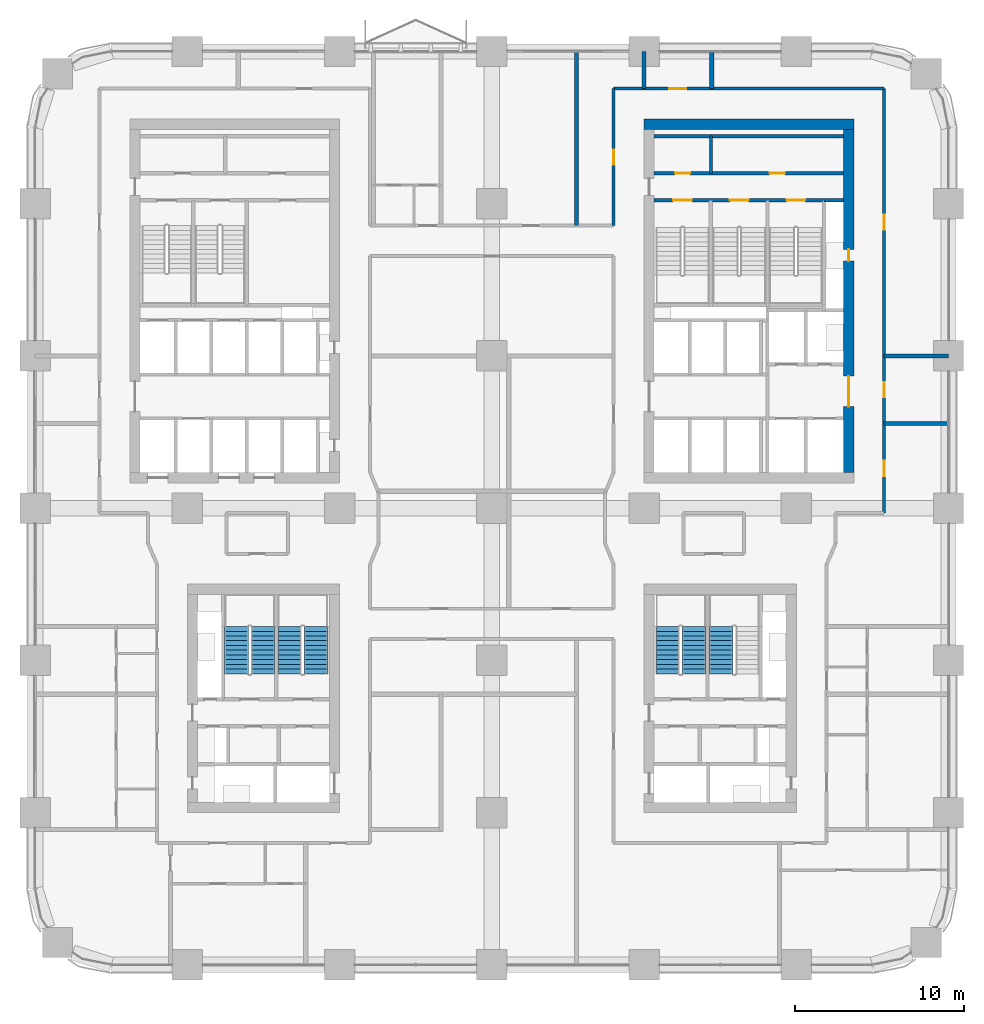
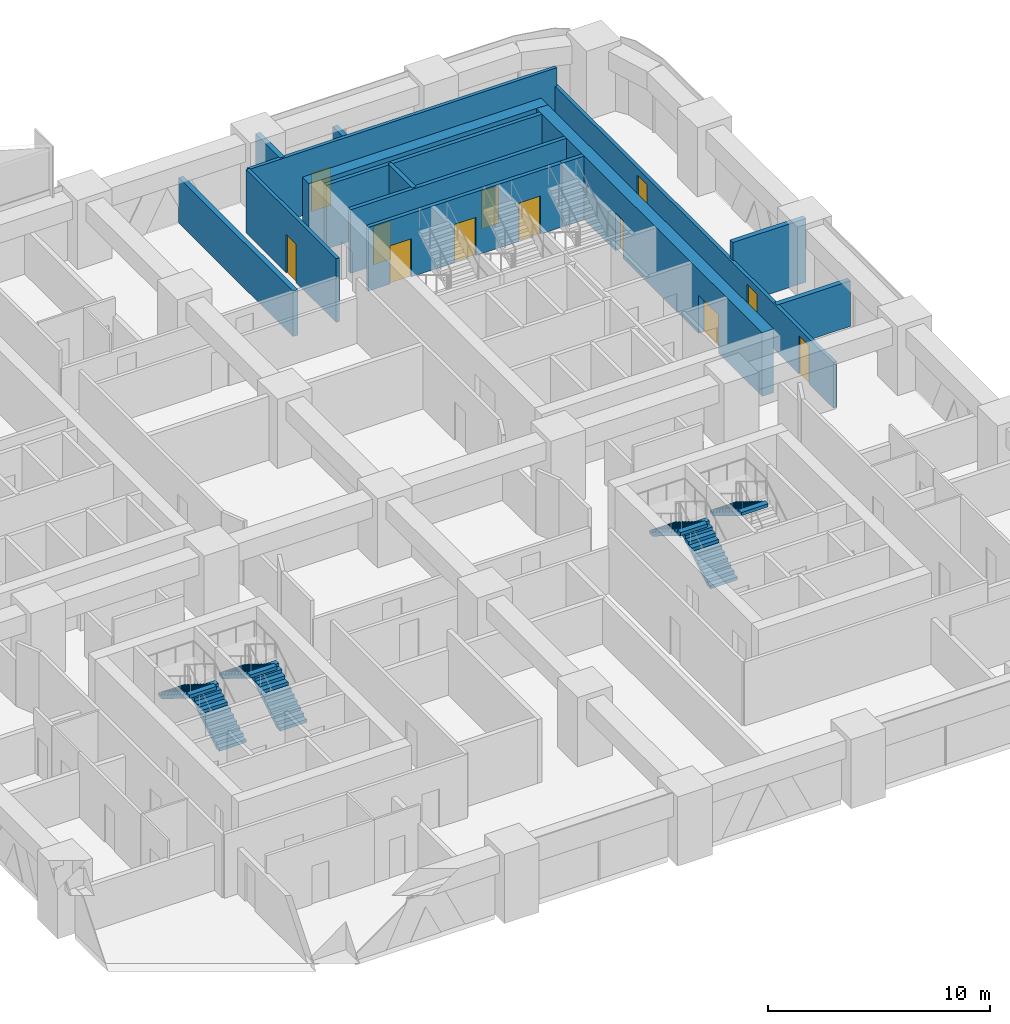
# One storey, part 19 of 23: 15 walls, 12 doors, 7 stair flights, 12 openings, 4 elements without a shape of their own.
"""IFC4 building model written with IfcOpenShell, lengths in metres."""

from ifc_helpers import new_model, si_unit, direction, frame, frame_2d, origin, place, context, subcontext, project, spatial, polyline, rectangle, outline, extrude, material, layer, layer_set, type_object, element, fill, aggregate, save


model = new_model("IFC4")

# Units and contexts
model_context = context("Model", 3, precision=1e-05, world=origin(), true_north=direction((0.0, 1.0)))
body_context = subcontext(model_context, "Body", "Model", "MODEL_VIEW")
ifc_project = project(units=[si_unit("LENGTHUNIT", "METRE"), si_unit("AREAUNIT", "SQUARE_METRE"), si_unit("VOLUMEUNIT", "CUBIC_METRE"), si_unit("PLANEANGLEUNIT", "RADIAN"), si_unit("MASSUNIT", "GRAM", prefix="KILO")], contexts=[model_context])

# Site, building, storey
site_placement = place(None, origin())
site = spatial("IfcSite", under=ifc_project, at=site_placement, CompositionType="ELEMENT")
building_placement = place(site_placement, origin())
building = spatial("IfcBuilding", under=site, at=building_placement, Name="Tessera Arch", CompositionType="ELEMENT")
storey_placement = place(building_placement, frame((0.0, 0.0, 34.800048828125)))
storey = spatial("IfcBuildingStorey", under=building, at=storey_placement, Name="L06", CompositionType="ELEMENT", Elevation=34.800048828125)

# Wall
ifc_material_1 = material(Name="Gypsum board on steel stud", Category="steel")
ifc_layer_1 = layer(ifc_material_1, 0.125)
ifc_layer_set_1 = layer_set([ifc_layer_1], Name="Core partition 125 EI 60")
wall_type_1 = type_object("IfcWallType", Name="Core partition 125 EI 60", PredefinedType="PARTITIONING", material=ifc_layer_set_1)
wall_1_placement = place(storey_placement, frame((39.9599609375, 46.800048828125, 0.0), z_axis=(0.0, 0.0, 1.0), x_axis=(0.0, 1.0, 0.0)))
element("IfcWall", 1, at=wall_1_placement, inside=storey, type_object=wall_type_1, Name="L06 C1 partition wall 5", PredefinedType="PARTITIONING", context=body_context, shape_type="SweptSolid", body=[
    extrude(rectangle(XDim=2.199951171875, YDim=0.199951171875, at=frame_2d((1.10009765625, 0.0))), origin(), (0.0, 0.0, 1.0), 3.5),
])

# Wall, openings, doors
wall_2_placement = place(storey_placement, frame((36.60009765625, 46.800048828125, 0.0), z_axis=(0.0, 0.0, 1.0), x_axis=(1.0, 0.0, 0.0)))
wall_2 = element("IfcWall", 2, at=wall_2_placement, inside=storey, type_object=wall_type_1, Name="L06 C1 partition wall 31", PredefinedType="PARTITIONING", context=body_context, shape_type="SweptSolid", body=[
    extrude(rectangle(XDim=11.199951171875, YDim=0.199951171875, at=frame_2d((5.60009765625, 0.0))), origin(), (0.0, 0.0, 1.0), 3.5),
])
opening_1_placement = place(wall_2_placement, frame((1.22998046875, 0.0, 0.0)))
opening_1 = element("IfcOpeningElement", 3, at=opening_1_placement, cuts=wall_2, Name="Opening L06-C12", PredefinedType="OPENING", context=body_context, shape_type="SweptSolid", body=[
    extrude(rectangle(XDim=0.89990234375, YDim=2.10009765625, at=frame_2d((0.449951171875, 1.050048828125))), frame((0.0, 0.10986328125, 0.0), z_axis=(0.0, -1.0, 0.0), x_axis=(1.0, 0.0, 0.0)), (0.0, 0.0, 1.0), 0.219970703125),
])
opening_2_placement = place(wall_2_placement, frame((6.830078125, 0.0, 0.0)))
opening_2 = element("IfcOpeningElement", 4, at=opening_2_placement, cuts=wall_2, Name="Opening L06-C13", PredefinedType="OPENING", context=body_context, shape_type="SweptSolid", body=[
    extrude(rectangle(XDim=0.89990234375, YDim=2.10009765625, at=frame_2d((0.449951171875, 1.050048828125))), frame((0.0, 0.10986328125, 0.0), z_axis=(0.0, -1.0, 0.0), x_axis=(1.0, 0.0, 0.0)), (0.0, 0.0, 1.0), 0.219970703125),
])
ifc_material_2 = material(Name="Steel door leaf", Category="steel")
door_type_1 = type_object("IfcDoorType", Name="Store door FD30S 900 x 2100", OperationType="SINGLE_SWING_LEFT", PredefinedType="DOOR", material=ifc_material_2)
door_1_placement = place(opening_1_placement, origin())
door_1 = element("IfcDoor", 5, at=door_1_placement, inside=storey, type_object=door_type_1, Name="L06 C1 door 12 C12 type D09", OperationType="SINGLE_SWING_LEFT", OverallHeight=2.10009765625, OverallWidth=0.89990234375, PredefinedType="DOOR", context=body_context, shape_type="SweptSolid", body=[
    extrude(rectangle(XDim=0.89990234375, YDim=2.10009765625, at=frame_2d((0.449951171875, 1.050048828125))), frame((0.0, 0.02490234375, 0.0), z_axis=(0.0, -1.0, 0.0), x_axis=(1.0, 0.0, 0.0)), (0.0, 0.0, 1.0), 0.050048828125),
])
fill(opening_1, door_1)
door_2_placement = place(opening_2_placement, origin())
door_2 = element("IfcDoor", 6, at=door_2_placement, inside=storey, type_object=door_type_1, Name="L06 C1 door 13 C13 type D09", OperationType="SINGLE_SWING_RIGHT", OverallHeight=2.10009765625, OverallWidth=0.89990234375, PredefinedType="DOOR", context=body_context, shape_type="SweptSolid", body=[
    extrude(rectangle(XDim=0.89990234375, YDim=2.10009765625, at=frame_2d((0.449951171875, 1.050048828125))), frame((0.0, 0.02490234375, 0.0), z_axis=(0.0, -1.0, 0.0), x_axis=(1.0, 0.0, 0.0)), (0.0, 0.0, 1.0), 0.050048828125),
])
fill(opening_2, door_2)

# Walls
wall_3_placement = place(storey_placement, frame((36.60009765625, 49.0, 0.0), z_axis=(0.0, 0.0, 1.0), x_axis=(1.0, 0.0, 0.0)))
element("IfcWall", 7, at=wall_3_placement, inside=storey, type_object=wall_type_1, Name="L06 C1 partition wall 32", PredefinedType="PARTITIONING", context=body_context, shape_type="SweptSolid", body=[
    extrude(rectangle(XDim=11.199951171875, YDim=0.199951171875, at=frame_2d((5.60009765625, 0.0))), origin(), (0.0, 0.0, 1.0), 3.5),
])
ifc_material_3 = material(Name="Concrete C70/85", Category="concrete")
ifc_layer_2 = layer(ifc_material_3, 0.60009765625)
ifc_layer_set_2 = layer_set([ifc_layer_2], Name="Core shell wall 600 C70-85")
wall_type_2 = type_object("IfcWallType", Name="Core shell wall 600 C70-85", PredefinedType="SHEAR", material=ifc_layer_set_2)
wall_4_placement = place(storey_placement, frame((36.0, 49.699951171875, 0.0), z_axis=(0.0, 0.0, 1.0), x_axis=(1.0, 0.0, 0.0)))
element("IfcWall", 8, at=wall_4_placement, inside=storey, type_object=wall_type_2, Name="L06 C1 core wall N", PredefinedType="SHEAR", context=body_context, shape_type="SweptSolid", body=[
    extrude(rectangle(XDim=12.39990234375, YDim=0.60009765625, at=frame_2d((6.199951171875, 0.0))), origin(), (0.0, 0.0, 1.0), 3.5),
])

# Wall, openings, doors
wall_5_placement = place(storey_placement, frame((48.10009765625, 29.10009765625, 0.0), z_axis=(0.0, 0.0, 1.0), x_axis=(0.0, 1.0, 0.0)))
wall_5 = element("IfcWall", 9, at=wall_5_placement, inside=storey, type_object=wall_type_2, Name="L06 C1 core wall E", PredefinedType="SHEAR", context=body_context, shape_type="SweptSolid", body=[
    extrude(rectangle(XDim=20.2998046875, YDim=0.60009765625, at=frame_2d((10.14990234375, 0.0))), origin(), (0.0, 0.0, 1.0), 3.5),
])
opening_3_placement = place(wall_5_placement, frame((12.5, 0.0, 0.0)))
opening_3 = element("IfcOpeningElement", 10, at=opening_3_placement, cuts=wall_5, Name="Opening L06-C08", PredefinedType="OPENING", context=body_context, shape_type="SweptSolid", body=[
    extrude(rectangle(XDim=0.699951171875, YDim=2.10009765625, at=frame_2d((0.35009765625, 1.050048828125))), frame((0.0, 0.31005859375, 0.0), z_axis=(0.0, -1.0, 0.0), x_axis=(1.0, 0.0, 0.0)), (0.0, 0.0, 1.0), 0.6201171875),
])
opening_4_placement = place(wall_5_placement, frame((3.89990234375, 0.0, 0.0)))
opening_4 = element("IfcOpeningElement", 11, at=opening_4_placement, cuts=wall_5, Name="Opening L06-C09", PredefinedType="OPENING", context=body_context, shape_type="SweptSolid", body=[
    extrude(rectangle(XDim=1.800048828125, YDim=2.10009765625, at=frame_2d((0.89990234375, 1.050048828125))), frame((0.0, 0.31005859375, 0.0), z_axis=(0.0, -1.0, 0.0), x_axis=(1.0, 0.0, 0.0)), (0.0, 0.0, 1.0), 0.6201171875),
])
ifc_material_4 = material(Name="Glazed steel door leaf", Category="steel")
door_type_2 = type_object("IfcDoorType", Name="Lobby double door FD60 1800 x 2100", OperationType="DOUBLE_DOOR_SINGLE_SWING", PredefinedType="DOOR", material=ifc_material_4)
door_3_placement = place(opening_4_placement, origin())
door_3 = element("IfcDoor", 12, at=door_3_placement, inside=storey, type_object=door_type_2, Name="L06 C1 door 9 C09 type D19", OperationType="DOUBLE_DOOR_SINGLE_SWING", OverallHeight=2.10009765625, OverallWidth=1.800048828125, PredefinedType="DOOR", context=body_context, shape_type="SweptSolid", body=[
    extrude(rectangle(XDim=1.800048828125, YDim=2.10009765625, at=frame_2d((0.89990234375, 1.050048828125))), frame((0.0, 0.02490234375, 0.0), z_axis=(0.0, -1.0, 0.0), x_axis=(1.0, 0.0, 0.0)), (0.0, 0.0, 1.0), 0.050048828125),
])
fill(opening_4, door_3)
ifc_material_5 = material(Name="Steel door leaf", Category="steel")
door_type_3 = type_object("IfcDoorType", Name="Service shaft door FD60 700 x 2100", OperationType="SINGLE_SWING_LEFT", PredefinedType="DOOR", material=ifc_material_5)
door_4_placement = place(opening_3_placement, origin())
door_4 = element("IfcDoor", 13, at=door_4_placement, inside=storey, type_object=door_type_3, Name="L06 C1 door 8 C08 type D07", OperationType="SINGLE_SWING_RIGHT", OverallHeight=2.10009765625, OverallWidth=0.699951171875, PredefinedType="DOOR", context=body_context, shape_type="SweptSolid", body=[
    extrude(rectangle(XDim=0.699951171875, YDim=2.10009765625, at=frame_2d((0.35009765625, 1.050048828125))), frame((0.0, 0.02490234375, 0.0), z_axis=(0.0, -1.0, 0.0), x_axis=(1.0, 0.0, 0.0)), (0.0, 0.0, 1.0), 0.050048828125),
])
fill(opening_3, door_4)

# Wall, opening, door
ifc_material_6 = material(Name="Gypsum board on deep steel stud with mineral wool", Category="steel")
ifc_layer_3 = layer(ifc_material_6, 0.175048828125)
ifc_layer_set_3 = layer_set([ifc_layer_3], Name="Corridor wall 175 EI 60")
wall_type_3 = type_object("IfcWallType", Name="Corridor wall 175 EI 60", PredefinedType="PARTITIONING", material=ifc_layer_set_3)
wall_6_placement = place(storey_placement, frame((34.199951171875, 51.800048828125, 0.0), z_axis=(0.0, 0.0, 1.0), x_axis=(1.0, 0.0, 0.0)))
wall_6 = element("IfcWall", 14, at=wall_6_placement, inside=storey, type_object=wall_type_3, Name="L06 partition 14", PredefinedType="PARTITIONING", context=body_context, shape_type="SweptSolid", body=[
    extrude(rectangle(XDim=16.0, YDim=0.175048828125, at=frame_2d((8.0, 0.0))), origin(), (0.0, 0.0, 1.0), 3.5),
])
opening_5_placement = place(wall_6_placement, frame((3.300048828125, 0.0, 0.0)))
opening_5 = element("IfcOpeningElement", 15, at=opening_5_placement, cuts=wall_6, Name="Opening L06-D042", PredefinedType="OPENING", context=body_context, shape_type="SweptSolid", body=[
    extrude(rectangle(XDim=1.0, YDim=2.10009765625, at=frame_2d((0.5, 1.050048828125))), frame((0.0, 0.097412109375, 0.0), z_axis=(0.0, -1.0, 0.0), x_axis=(1.0, 0.0, 0.0)), (0.0, 0.0, 1.0), 0.195068359375),
])
ifc_material_7 = material(Name="Fire-rated door leaf")
door_type_4 = type_object("IfcDoorType", Name="Entrance door FD30S 1000 x 2100", OperationType="SINGLE_SWING_LEFT", PredefinedType="DOOR", material=ifc_material_7)
door_5_placement = place(opening_5_placement, origin())
door_5 = element("IfcDoor", 16, at=door_5_placement, inside=storey, type_object=door_type_4, Name="L06 door D042 type D03", OperationType="SINGLE_SWING_LEFT", OverallHeight=2.10009765625, OverallWidth=1.0, PredefinedType="DOOR", context=body_context, shape_type="SweptSolid", body=[
    extrude(rectangle(XDim=1.0, YDim=2.10009765625, at=frame_2d((0.5, 1.050048828125))), frame((0.0, 0.02490234375, 0.0), z_axis=(0.0, -1.0, 0.0), x_axis=(1.0, 0.0, 0.0)), (0.0, 0.0, 1.0), 0.050048828125),
])
fill(opening_5, door_5)

wall_7_placement = place(storey_placement, frame((34.199951171875, 43.699951171875, 0.0), z_axis=(0.0, 0.0, 1.0), x_axis=(0.0, 1.0, 0.0)))
wall_7 = element("IfcWall", 17, at=wall_7_placement, inside=storey, type_object=wall_type_3, Name="L06 partition 29", PredefinedType="PARTITIONING", context=body_context, shape_type="SweptSolid", body=[
    extrude(rectangle(XDim=8.10009765625, YDim=0.175048828125, at=frame_2d((4.050048828125, 0.0))), origin(), (0.0, 0.0, 1.0), 3.5),
])
opening_6_placement = place(wall_7_placement, frame((3.60009765625, 0.0, 0.0)))
opening_6 = element("IfcOpeningElement", 18, at=opening_6_placement, cuts=wall_7, Name="Opening L06-D040", PredefinedType="OPENING", context=body_context, shape_type="SweptSolid", body=[
    extrude(rectangle(XDim=0.89990234375, YDim=2.10009765625, at=frame_2d((0.449951171875, 1.050048828125))), frame((0.0, 0.097412109375, 0.0), z_axis=(0.0, -1.0, 0.0), x_axis=(1.0, 0.0, 0.0)), (0.0, 0.0, 1.0), 0.195068359375),
])
ifc_material_8 = material(Name="Timber door leaf", Category="wood")
door_type_5 = type_object("IfcDoorType", Name="Room door 900 x 2100", OperationType="SINGLE_SWING_LEFT", PredefinedType="DOOR", material=ifc_material_8)
door_6_placement = place(opening_6_placement, origin())
door_6 = element("IfcDoor", 19, at=door_6_placement, inside=storey, type_object=door_type_5, Name="L06 door D040 type D01", OperationType="SINGLE_SWING_LEFT", OverallHeight=2.10009765625, OverallWidth=0.89990234375, PredefinedType="DOOR", context=body_context, shape_type="SweptSolid", body=[
    extrude(rectangle(XDim=0.89990234375, YDim=2.10009765625, at=frame_2d((0.449951171875, 1.050048828125))), frame((0.0, 0.02490234375, 0.0), z_axis=(0.0, -1.0, 0.0), x_axis=(1.0, 0.0, 0.0)), (0.0, 0.0, 1.0), 0.050048828125),
])
fill(opening_6, door_6)

# Wall, openings, doors
wall_8_placement = place(storey_placement, frame((50.199951171875, 26.699951171875, 0.0), z_axis=(0.0, 0.0, 1.0), x_axis=(0.0, 1.0, 0.0)))
wall_8 = element("IfcWall", 20, at=wall_8_placement, inside=storey, type_object=wall_type_3, Name="L06 partition 34", PredefinedType="PARTITIONING", context=body_context, shape_type="SweptSolid", body=[
    extrude(rectangle(XDim=25.10009765625, YDim=0.175048828125, at=frame_2d((12.550048828125, 0.0))), origin(), (0.0, 0.0, 1.0), 2.5),
])
opening_7_placement = place(wall_8_placement, frame((2.199951171875, 0.0, 0.0)))
opening_7 = element("IfcOpeningElement", 21, at=opening_7_placement, cuts=wall_8, Name="Opening L06-D026", PredefinedType="OPENING", context=body_context, shape_type="SweptSolid", body=[
    extrude(rectangle(XDim=0.89990234375, YDim=2.10009765625, at=frame_2d((0.449951171875, 1.050048828125))), frame((0.0, 0.097412109375, 0.0), z_axis=(0.0, -1.0, 0.0), x_axis=(1.0, 0.0, 0.0)), (0.0, 0.0, 1.0), 0.195068359375),
])
opening_8_placement = place(wall_8_placement, frame((6.85009765625, 0.0, 0.0)))
opening_8 = element("IfcOpeningElement", 22, at=opening_8_placement, cuts=wall_8, Name="Opening L06-D032", PredefinedType="OPENING", context=body_context, shape_type="SweptSolid", body=[
    extrude(rectangle(XDim=0.89990234375, YDim=2.10009765625, at=frame_2d((0.449951171875, 1.050048828125))), frame((0.0, 0.097412109375, 0.0), z_axis=(0.0, -1.0, 0.0), x_axis=(1.0, 0.0, 0.0)), (0.0, 0.0, 1.0), 0.195068359375),
])
opening_9_placement = place(wall_8_placement, frame((16.75, 0.0, 0.0)))
opening_9 = element("IfcOpeningElement", 23, at=opening_9_placement, cuts=wall_8, Name="Opening L06-D035", PredefinedType="OPENING", context=body_context, shape_type="SweptSolid", body=[
    extrude(rectangle(XDim=0.89990234375, YDim=2.10009765625, at=frame_2d((0.449951171875, 1.050048828125))), frame((0.0, 0.097412109375, 0.0), z_axis=(0.0, -1.0, 0.0), x_axis=(1.0, 0.0, 0.0)), (0.0, 0.0, 1.0), 0.195068359375),
])
door_7_placement = place(opening_7_placement, origin())
door_7 = element("IfcDoor", 24, at=door_7_placement, inside=storey, type_object=door_type_5, Name="L06 door D026 type D01", OperationType="SINGLE_SWING_RIGHT", OverallHeight=2.10009765625, OverallWidth=0.89990234375, PredefinedType="DOOR", context=body_context, shape_type="SweptSolid", body=[
    extrude(rectangle(XDim=0.89990234375, YDim=2.10009765625, at=frame_2d((0.449951171875, 1.050048828125))), frame((0.0, 0.02490234375, 0.0), z_axis=(0.0, -1.0, 0.0), x_axis=(1.0, 0.0, 0.0)), (0.0, 0.0, 1.0), 0.050048828125),
])
fill(opening_7, door_7)
door_8_placement = place(opening_8_placement, origin())
door_8 = element("IfcDoor", 25, at=door_8_placement, inside=storey, type_object=door_type_5, Name="L06 door D032 type D01", OperationType="SINGLE_SWING_RIGHT", OverallHeight=2.10009765625, OverallWidth=0.89990234375, PredefinedType="DOOR", context=body_context, shape_type="SweptSolid", body=[
    extrude(rectangle(XDim=0.89990234375, YDim=2.10009765625, at=frame_2d((0.449951171875, 1.050048828125))), frame((0.0, 0.02490234375, 0.0), z_axis=(0.0, -1.0, 0.0), x_axis=(1.0, 0.0, 0.0)), (0.0, 0.0, 1.0), 0.050048828125),
])
fill(opening_8, door_8)
door_9_placement = place(opening_9_placement, origin())
door_9 = element("IfcDoor", 26, at=door_9_placement, inside=storey, type_object=door_type_5, Name="L06 door D035 type D01", OperationType="SINGLE_SWING_LEFT", OverallHeight=2.10009765625, OverallWidth=0.89990234375, PredefinedType="DOOR", context=body_context, shape_type="SweptSolid", body=[
    extrude(rectangle(XDim=0.89990234375, YDim=2.10009765625, at=frame_2d((0.449951171875, 1.050048828125))), frame((0.0, 0.02490234375, 0.0), z_axis=(0.0, -1.0, 0.0), x_axis=(1.0, 0.0, 0.0)), (0.0, 0.0, 1.0), 0.050048828125),
])
fill(opening_9, door_9)

# Walls
ifc_material_9 = material(Name="Double gypsum board on twin steel stud with acoustic mineral wool", Category="steel")
ifc_layer_4 = layer(ifc_material_9, 0.25)
ifc_layer_set_4 = layer_set([ifc_layer_4], Name="Party wall 250 EI 60")
wall_type_4 = type_object("IfcWallType", Name="Party wall 250 EI 60", PredefinedType="PARTITIONING", material=ifc_layer_set_4)
wall_9_placement = place(storey_placement, frame((50.199951171875, 32.0, 0.0), z_axis=(0.0, 0.0, 1.0), x_axis=(1.0, 0.0, 0.0)))
element("IfcWall", 27, at=wall_9_placement, inside=storey, type_object=wall_type_4, Name="L06 partition 52", PredefinedType="PARTITIONING", context=body_context, shape_type="SweptSolid", body=[
    extrude(rectangle(XDim=3.800048828125, YDim=0.25, at=frame_2d((1.89990234375, 0.0))), origin(), (0.0, 0.0, 1.0), 2.5),
])
wall_10_placement = place(storey_placement, frame((50.199951171875, 36.0, 0.0), z_axis=(0.0, 0.0, 1.0), x_axis=(1.0, 0.0, 0.0)))
element("IfcWall", 28, at=wall_10_placement, inside=storey, type_object=wall_type_4, Name="L06 partition 55", PredefinedType="PARTITIONING", context=body_context, shape_type="SweptSolid", body=[
    extrude(rectangle(XDim=3.800048828125, YDim=0.25, at=frame_2d((1.89990234375, 0.0))), origin(), (0.0, 0.0, 1.0), 3.5),
])
wall_11_placement = place(storey_placement, frame((32.0, 43.699951171875, 0.0), z_axis=(0.0, 0.0, 1.0), x_axis=(0.0, 1.0, 0.0)))
element("IfcWall", 29, at=wall_11_placement, inside=storey, type_object=wall_type_4, Name="L06 partition 64", PredefinedType="PARTITIONING", context=body_context, shape_type="SweptSolid", body=[
    extrude(rectangle(XDim=10.300048828125, YDim=0.25, at=frame_2d((5.14990234375, 0.0))), origin(), (0.0, 0.0, 1.0), 2.5),
])
wall_12_placement = place(storey_placement, frame((36.0, 51.800048828125, 0.0), z_axis=(0.0, 0.0, 1.0), x_axis=(0.0, 1.0, 0.0)))
element("IfcWall", 30, at=wall_12_placement, inside=storey, type_object=wall_type_4, Name="L06 partition 65", PredefinedType="PARTITIONING", context=body_context, shape_type="SweptSolid", body=[
    extrude(rectangle(XDim=2.199951171875, YDim=0.25, at=frame_2d((1.10009765625, 0.0))), origin(), (0.0, 0.0, 1.0), 3.5),
])
wall_13_placement = place(storey_placement, frame((40.0, 51.800048828125, 0.0), z_axis=(0.0, 0.0, 1.0), x_axis=(0.0, 1.0, 0.0)))
element("IfcWall", 31, at=wall_13_placement, inside=storey, type_object=wall_type_4, Name="L06 partition 66", PredefinedType="PARTITIONING", context=body_context, shape_type="SweptSolid", body=[
    extrude(rectangle(XDim=2.199951171875, YDim=0.25, at=frame_2d((1.10009765625, 0.0))), origin(), (0.0, 0.0, 1.0), 2.5),
])
ifc_material_10 = material(Name="Concrete C40/50", Category="concrete")
ifc_layer_5 = layer(ifc_material_10, 0.199951171875)
ifc_layer_set_5 = layer_set([ifc_layer_5], Name="Shaft wall 200 EI 120")
wall_type_5 = type_object("IfcWallType", Name="Shaft wall 200 EI 120", PredefinedType="SOLIDWALL", material=ifc_layer_set_5)
wall_14_placement = place(storey_placement, frame((46.64990234375, 45.199951171875, 0.0), z_axis=(0.0, 0.0, 1.0), x_axis=(1.0, 0.0, 0.0)))
element("IfcWall", 32, at=wall_14_placement, inside=storey, type_object=wall_type_5, Name="L06 C1 shaft wall 29", PredefinedType="SOLIDWALL", context=body_context, shape_type="SweptSolid", body=[
    extrude(rectangle(XDim=1.150146484375, YDim=0.199951171875, at=frame_2d((0.5751953125, 0.0))), origin(), (0.0, 0.0, 1.0), 3.5),
])

# Wall, openings, doors
ifc_material_11 = material(Name="Concrete C40/50", Category="concrete")
ifc_layer_6 = layer(ifc_material_11, 0.199951171875)
ifc_layer_set_6 = layer_set([ifc_layer_6], Name="Stair well wall 200 REI 180")
wall_type_6 = type_object("IfcWallType", Name="Stair well wall 200 REI 180", PredefinedType="SOLIDWALL", material=ifc_layer_set_6)
wall_15_placement = place(storey_placement, frame((36.60009765625, 45.199951171875, 0.0), z_axis=(0.0, 0.0, 1.0), x_axis=(1.0, 0.0, 0.0)))
wall_15 = element("IfcWall", 33, at=wall_15_placement, inside=storey, type_object=wall_type_6, Name="L06 C1 shaft wall 30", PredefinedType="SOLIDWALL", context=body_context, shape_type="SweptSolid", body=[
    extrude(rectangle(XDim=10.0498046875, YDim=0.199951171875, at=frame_2d((5.02490234375, 0.0))), origin(), (0.0, 0.0, 1.0), 3.5),
])
opening_10_placement = place(wall_15_placement, frame((1.125, 0.0, 0.0)))
opening_10 = element("IfcOpeningElement", 34, at=opening_10_placement, cuts=wall_15, Name="Opening L06-C05", PredefinedType="OPENING", context=body_context, shape_type="SweptSolid", body=[
    extrude(rectangle(XDim=1.10009765625, YDim=2.10009765625, at=frame_2d((0.550048828125, 1.050048828125))), frame((0.0, 0.10986328125, 0.0), z_axis=(0.0, -1.0, 0.0), x_axis=(1.0, 0.0, 0.0)), (0.0, 0.0, 1.0), 0.219970703125),
])
opening_11_placement = place(wall_15_placement, frame((4.47509765625, 0.0, 0.0)))
opening_11 = element("IfcOpeningElement", 35, at=opening_11_placement, cuts=wall_15, Name="Opening L06-C06", PredefinedType="OPENING", context=body_context, shape_type="SweptSolid", body=[
    extrude(rectangle(XDim=1.10009765625, YDim=2.10009765625, at=frame_2d((0.550048828125, 1.050048828125))), frame((0.0, 0.10986328125, 0.0), z_axis=(0.0, -1.0, 0.0), x_axis=(1.0, 0.0, 0.0)), (0.0, 0.0, 1.0), 0.219970703125),
])
opening_12_placement = place(wall_15_placement, frame((7.824951171875, 0.0, 0.0)))
opening_12 = element("IfcOpeningElement", 36, at=opening_12_placement, cuts=wall_15, Name="Opening L06-C07", PredefinedType="OPENING", context=body_context, shape_type="SweptSolid", body=[
    extrude(rectangle(XDim=1.10009765625, YDim=2.10009765625, at=frame_2d((0.550048828125, 1.050048828125))), frame((0.0, 0.10986328125, 0.0), z_axis=(0.0, -1.0, 0.0), x_axis=(1.0, 0.0, 0.0)), (0.0, 0.0, 1.0), 0.219970703125),
])
ifc_material_12 = material(Name="Steel door leaf", Category="steel")
door_type_6 = type_object("IfcDoorType", Name="Stair door FD60 1100 x 2100", OperationType="SINGLE_SWING_LEFT", PredefinedType="DOOR", material=ifc_material_12)
door_10_placement = place(opening_10_placement, origin())
door_10 = element("IfcDoor", 37, at=door_10_placement, inside=storey, type_object=door_type_6, Name="L06 C1 door 5 C05 type D05", OperationType="SINGLE_SWING_LEFT", OverallHeight=2.10009765625, OverallWidth=1.10009765625, PredefinedType="DOOR", context=body_context, shape_type="SweptSolid", body=[
    extrude(rectangle(XDim=1.10009765625, YDim=2.10009765625, at=frame_2d((0.550048828125, 1.050048828125))), frame((0.0, 0.02490234375, 0.0), z_axis=(0.0, -1.0, 0.0), x_axis=(1.0, 0.0, 0.0)), (0.0, 0.0, 1.0), 0.050048828125),
])
fill(opening_10, door_10)
door_11_placement = place(opening_11_placement, origin())
door_11 = element("IfcDoor", 38, at=door_11_placement, inside=storey, type_object=door_type_6, Name="L06 C1 door 6 C06 type D05", OperationType="SINGLE_SWING_RIGHT", OverallHeight=2.10009765625, OverallWidth=1.10009765625, PredefinedType="DOOR", context=body_context, shape_type="SweptSolid", body=[
    extrude(rectangle(XDim=1.10009765625, YDim=2.10009765625, at=frame_2d((0.550048828125, 1.050048828125))), frame((0.0, 0.02490234375, 0.0), z_axis=(0.0, -1.0, 0.0), x_axis=(1.0, 0.0, 0.0)), (0.0, 0.0, 1.0), 0.050048828125),
])
fill(opening_11, door_11)
door_12_placement = place(opening_12_placement, origin())
door_12 = element("IfcDoor", 39, at=door_12_placement, inside=storey, type_object=door_type_6, Name="L06 C1 door 7 C07 type D05", OperationType="SINGLE_SWING_RIGHT", OverallHeight=2.10009765625, OverallWidth=1.10009765625, PredefinedType="DOOR", context=body_context, shape_type="SweptSolid", body=[
    extrude(rectangle(XDim=1.10009765625, YDim=2.10009765625, at=frame_2d((0.550048828125, 1.050048828125))), frame((0.0, 0.02490234375, 0.0), z_axis=(0.0, -1.0, 0.0), x_axis=(1.0, 0.0, 0.0)), (0.0, 0.0, 1.0), 0.050048828125),
])
fill(opening_12, door_12)

# Stair, stair flights
ifc_material_13 = material(Name="Concrete C40/50", Category="concrete")
stair_type = type_object("IfcStairType", Name="Dogleg stair 1400", PredefinedType="HALF_TURN_STAIR", material=ifc_material_13)
stair_1_placement = place(storey_placement, origin())
stair_1 = element("IfcStair", 40, at=stair_1_placement, inside=storey, type_object=stair_type, Name="L06 S3a", PredefinedType="HALF_TURN_STAIR")
ifc_material_14 = material(Name="Concrete C40/50", Category="concrete")
stair_flight_type = type_object("IfcStairFlightType", Name="Stair flight 1400", PredefinedType="STRAIGHT", material=ifc_material_14)
stair_flight_1_placement = place(storey_placement, frame((38.949951171875, 17.199951171875, 0.0), z_axis=(0.0, 0.0, 1.0), x_axis=(0.0, 1.0, 0.0)))
stair_flight_1 = element("IfcStairFlight", 41, at=stair_flight_1_placement, type_object=stair_flight_type, Name="S3a flight 1", NumberOfRisers=11, NumberOfTreads=10, PredefinedType="STRAIGHT", RiserHeight=0.172727273, TreadLength=0.28, context=body_context, shape_type="SweptSolid", body=[
    extrude(outline(polyline([(0.0, 0.0), (0.0, 0.172607421875), (0.280029296875, 0.172607421875), (0.280029296875, 0.345458984375), (0.56005859375, 0.345458984375), (0.56005859375, 0.51806640625), (0.840087890625, 0.51806640625), (0.840087890625, 0.69091796875), (1.1201171875, 0.69091796875), (1.1201171875, 0.863525390625), (1.39990234375, 0.863525390625), (1.39990234375, 1.036376953125), (1.679931640625, 1.036376953125), (1.679931640625, 1.208984375), (1.9599609375, 1.208984375), (1.9599609375, 1.3818359375), (2.239990234375, 1.3818359375), (2.239990234375, 1.554443359375), (2.52001953125, 1.554443359375), (2.52001953125, 1.727294921875), (2.800048828125, 1.727294921875), (2.800048828125, 1.89990234375), (2.800048828125, 1.551025390625), (0.285400390625, 0.0), (0.0, 0.0)])), frame((0.0, 0.699951171875, 0.0), z_axis=(0.0, -1.0, 0.0), x_axis=(1.0, 0.0, 0.0)), (0.0, 0.0, 1.0), 1.39990234375),
])
stair_flight_2_placement = place(storey_placement, frame((37.39990234375, 20.0, 1.89990234375), z_axis=(0.0, 0.0, 1.0), x_axis=(0.0, -1.0, 0.0)))
stair_flight_2 = element("IfcStairFlight", 42, at=stair_flight_2_placement, type_object=stair_flight_type, Name="S3a flight 2", NumberOfRisers=11, NumberOfTreads=10, PredefinedType="STRAIGHT", RiserHeight=0.172727273, TreadLength=0.28, context=body_context, shape_type="SweptSolid", body=[
    extrude(outline(polyline([(0.0, 0.0), (0.0, 0.172607421875), (0.280029296875, 0.172607421875), (0.280029296875, 0.345458984375), (0.56005859375, 0.345458984375), (0.56005859375, 0.51806640625), (0.840087890625, 0.51806640625), (0.840087890625, 0.69091796875), (1.1201171875, 0.69091796875), (1.1201171875, 0.863525390625), (1.39990234375, 0.863525390625), (1.39990234375, 1.036376953125), (1.679931640625, 1.036376953125), (1.679931640625, 1.208984375), (1.9599609375, 1.208984375), (1.9599609375, 1.3818359375), (2.239990234375, 1.3818359375), (2.239990234375, 1.554443359375), (2.52001953125, 1.554443359375), (2.52001953125, 1.727294921875), (2.800048828125, 1.727294921875), (2.800048828125, 1.89990234375), (2.800048828125, 1.551025390625), (0.285400390625, 0.0), (0.0, 0.0)])), frame((0.0, 0.699951171875, 0.0), z_axis=(0.0, -1.0, 0.0), x_axis=(1.0, 0.0, 0.0)), (0.0, 0.0, 1.0), 1.39990234375),
])
aggregate(stair_1, [stair_flight_1, stair_flight_2])

# Stair, stair flight
stair_2_placement = place(storey_placement, origin())
stair_2 = element("IfcStair", 43, at=stair_2_placement, inside=storey, type_object=stair_type, Name="L06 S3b", PredefinedType="HALF_TURN_STAIR")
stair_flight_3_placement = place(storey_placement, frame((40.550048828125, 20.0, 1.89990234375), z_axis=(0.0, 0.0, 1.0), x_axis=(0.0, -1.0, 0.0)))
stair_flight_3 = element("IfcStairFlight", 44, at=stair_flight_3_placement, type_object=stair_flight_type, Name="S3b flight 2", NumberOfRisers=11, NumberOfTreads=10, PredefinedType="STRAIGHT", RiserHeight=0.172727273, TreadLength=0.28, context=body_context, shape_type="SweptSolid", body=[
    extrude(outline(polyline([(0.0, 0.0), (0.0, 0.172607421875), (0.280029296875, 0.172607421875), (0.280029296875, 0.345458984375), (0.56005859375, 0.345458984375), (0.56005859375, 0.51806640625), (0.840087890625, 0.51806640625), (0.840087890625, 0.69091796875), (1.1201171875, 0.69091796875), (1.1201171875, 0.863525390625), (1.39990234375, 0.863525390625), (1.39990234375, 1.036376953125), (1.679931640625, 1.036376953125), (1.679931640625, 1.208984375), (1.9599609375, 1.208984375), (1.9599609375, 1.3818359375), (2.239990234375, 1.3818359375), (2.239990234375, 1.554443359375), (2.52001953125, 1.554443359375), (2.52001953125, 1.727294921875), (2.800048828125, 1.727294921875), (2.800048828125, 1.89990234375), (2.800048828125, 1.551025390625), (0.285400390625, 0.0), (0.0, 0.0)])), frame((0.0, 0.699951171875, 0.0), z_axis=(0.0, -1.0, 0.0), x_axis=(1.0, 0.0, 0.0)), (0.0, 0.0, 1.0), 1.39990234375),
])
aggregate(stair_2, [stair_flight_3])

# Stair, stair flights
stair_3_placement = place(storey_placement, origin())
stair_3 = element("IfcStair", 45, at=stair_3_placement, inside=storey, type_object=stair_type, Name="L06 S4a", PredefinedType="HALF_TURN_STAIR")
stair_flight_4_placement = place(storey_placement, frame((16.60009765625, 17.199951171875, 0.0), z_axis=(0.0, 0.0, 1.0), x_axis=(0.0, 1.0, 0.0)))
stair_flight_4 = element("IfcStairFlight", 46, at=stair_flight_4_placement, type_object=stair_flight_type, Name="S4a flight 1", NumberOfRisers=11, NumberOfTreads=10, PredefinedType="STRAIGHT", RiserHeight=0.172727273, TreadLength=0.28, context=body_context, shape_type="SweptSolid", body=[
    extrude(outline(polyline([(0.0, 0.0), (0.0, 0.172607421875), (0.280029296875, 0.172607421875), (0.280029296875, 0.345458984375), (0.56005859375, 0.345458984375), (0.56005859375, 0.51806640625), (0.840087890625, 0.51806640625), (0.840087890625, 0.69091796875), (1.1201171875, 0.69091796875), (1.1201171875, 0.863525390625), (1.39990234375, 0.863525390625), (1.39990234375, 1.036376953125), (1.679931640625, 1.036376953125), (1.679931640625, 1.208984375), (1.9599609375, 1.208984375), (1.9599609375, 1.3818359375), (2.239990234375, 1.3818359375), (2.239990234375, 1.554443359375), (2.52001953125, 1.554443359375), (2.52001953125, 1.727294921875), (2.800048828125, 1.727294921875), (2.800048828125, 1.89990234375), (2.800048828125, 1.551025390625), (0.285400390625, 0.0), (0.0, 0.0)])), frame((0.0, 0.699951171875, 0.0), z_axis=(0.0, -1.0, 0.0), x_axis=(1.0, 0.0, 0.0)), (0.0, 0.0, 1.0), 1.39990234375),
])
stair_flight_5_placement = place(storey_placement, frame((15.050048828125, 20.0, 1.89990234375), z_axis=(0.0, 0.0, 1.0), x_axis=(0.0, -1.0, 0.0)))
stair_flight_5 = element("IfcStairFlight", 47, at=stair_flight_5_placement, type_object=stair_flight_type, Name="S4a flight 2", NumberOfRisers=11, NumberOfTreads=10, PredefinedType="STRAIGHT", RiserHeight=0.172727273, TreadLength=0.28, context=body_context, shape_type="SweptSolid", body=[
    extrude(outline(polyline([(0.0, 0.0), (0.0, 0.172607421875), (0.280029296875, 0.172607421875), (0.280029296875, 0.345458984375), (0.56005859375, 0.345458984375), (0.56005859375, 0.51806640625), (0.840087890625, 0.51806640625), (0.840087890625, 0.69091796875), (1.1201171875, 0.69091796875), (1.1201171875, 0.863525390625), (1.39990234375, 0.863525390625), (1.39990234375, 1.036376953125), (1.679931640625, 1.036376953125), (1.679931640625, 1.208984375), (1.9599609375, 1.208984375), (1.9599609375, 1.3818359375), (2.239990234375, 1.3818359375), (2.239990234375, 1.554443359375), (2.52001953125, 1.554443359375), (2.52001953125, 1.727294921875), (2.800048828125, 1.727294921875), (2.800048828125, 1.89990234375), (2.800048828125, 1.551025390625), (0.285400390625, 0.0), (0.0, 0.0)])), frame((0.0, 0.699951171875, 0.0), z_axis=(0.0, -1.0, 0.0), x_axis=(1.0, 0.0, 0.0)), (0.0, 0.0, 1.0), 1.39990234375),
])
aggregate(stair_3, [stair_flight_4, stair_flight_5])

stair_4_placement = place(storey_placement, origin())
stair_4 = element("IfcStair", 48, at=stair_4_placement, inside=storey, type_object=stair_type, Name="L06 S4b", PredefinedType="HALF_TURN_STAIR")
stair_flight_6_placement = place(storey_placement, frame((13.449951171875, 17.199951171875, 0.0), z_axis=(0.0, 0.0, 1.0), x_axis=(0.0, 1.0, 0.0)))
stair_flight_6 = element("IfcStairFlight", 49, at=stair_flight_6_placement, type_object=stair_flight_type, Name="S4b flight 1", NumberOfRisers=11, NumberOfTreads=10, PredefinedType="STRAIGHT", RiserHeight=0.172727273, TreadLength=0.28, context=body_context, shape_type="SweptSolid", body=[
    extrude(outline(polyline([(0.0, 0.0), (0.0, 0.172607421875), (0.280029296875, 0.172607421875), (0.280029296875, 0.345458984375), (0.56005859375, 0.345458984375), (0.56005859375, 0.51806640625), (0.840087890625, 0.51806640625), (0.840087890625, 0.69091796875), (1.1201171875, 0.69091796875), (1.1201171875, 0.863525390625), (1.39990234375, 0.863525390625), (1.39990234375, 1.036376953125), (1.679931640625, 1.036376953125), (1.679931640625, 1.208984375), (1.9599609375, 1.208984375), (1.9599609375, 1.3818359375), (2.239990234375, 1.3818359375), (2.239990234375, 1.554443359375), (2.52001953125, 1.554443359375), (2.52001953125, 1.727294921875), (2.800048828125, 1.727294921875), (2.800048828125, 1.89990234375), (2.800048828125, 1.551025390625), (0.285400390625, 0.0), (0.0, 0.0)])), frame((0.0, 0.699951171875, 0.0), z_axis=(0.0, -1.0, 0.0), x_axis=(1.0, 0.0, 0.0)), (0.0, 0.0, 1.0), 1.39990234375),
])
stair_flight_7_placement = place(storey_placement, frame((11.89990234375, 20.0, 1.89990234375), z_axis=(0.0, 0.0, 1.0), x_axis=(0.0, -1.0, 0.0)))
stair_flight_7 = element("IfcStairFlight", 50, at=stair_flight_7_placement, type_object=stair_flight_type, Name="S4b flight 2", NumberOfRisers=11, NumberOfTreads=10, PredefinedType="STRAIGHT", RiserHeight=0.172727273, TreadLength=0.28, context=body_context, shape_type="SweptSolid", body=[
    extrude(outline(polyline([(0.0, 0.0), (0.0, 0.172607421875), (0.280029296875, 0.172607421875), (0.280029296875, 0.345458984375), (0.56005859375, 0.345458984375), (0.56005859375, 0.51806640625), (0.840087890625, 0.51806640625), (0.840087890625, 0.69091796875), (1.1201171875, 0.69091796875), (1.1201171875, 0.863525390625), (1.39990234375, 0.863525390625), (1.39990234375, 1.036376953125), (1.679931640625, 1.036376953125), (1.679931640625, 1.208984375), (1.9599609375, 1.208984375), (1.9599609375, 1.3818359375), (2.239990234375, 1.3818359375), (2.239990234375, 1.554443359375), (2.52001953125, 1.554443359375), (2.52001953125, 1.727294921875), (2.800048828125, 1.727294921875), (2.800048828125, 1.89990234375), (2.800048828125, 1.551025390625), (0.285400390625, 0.0), (0.0, 0.0)])), frame((0.0, 0.699951171875, 0.0), z_axis=(0.0, -1.0, 0.0), x_axis=(1.0, 0.0, 0.0)), (0.0, 0.0, 1.0), 1.39990234375),
])
aggregate(stair_4, [stair_flight_6, stair_flight_7])

save(model, "model.ifc")
